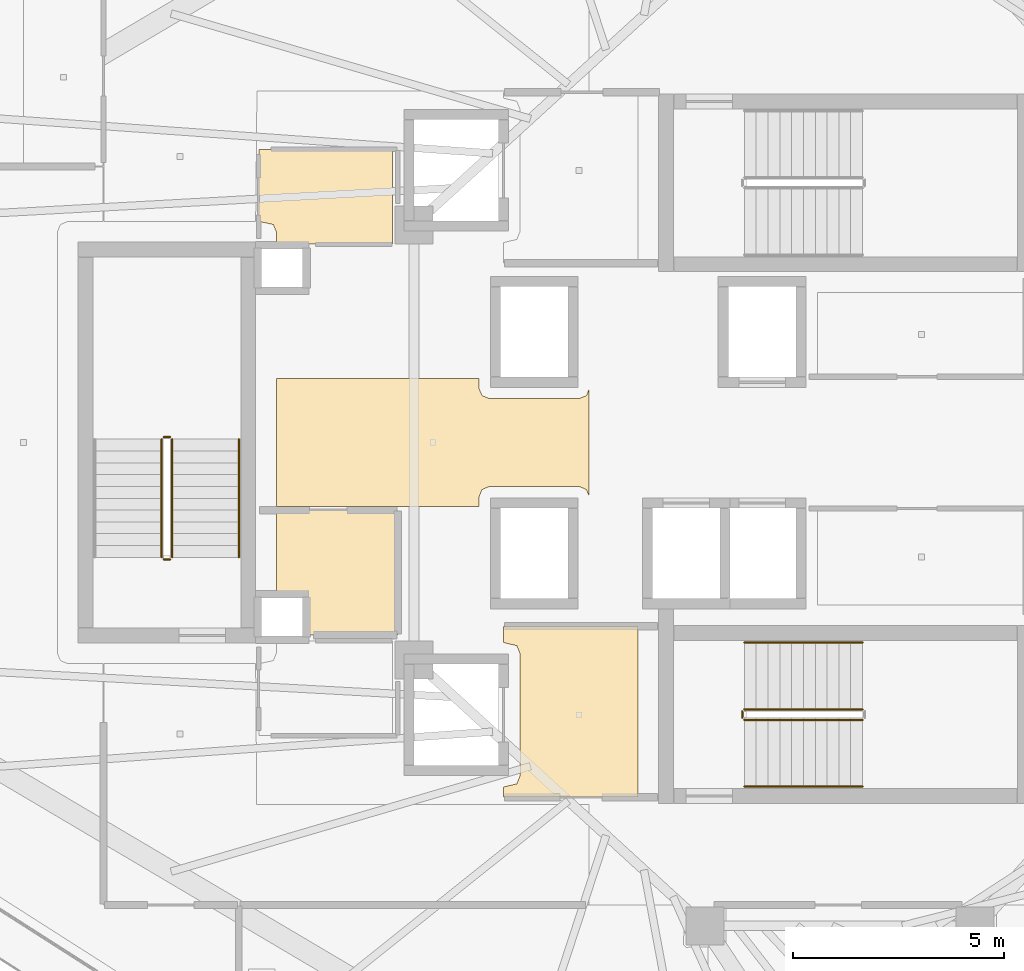
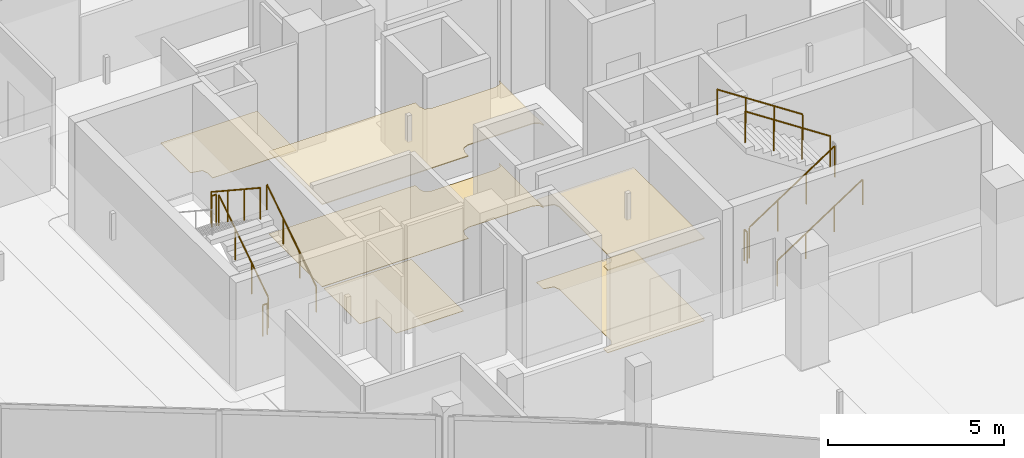
# One storey, part 30 of 34: 10 railings, 6 coverings.
"""IFC4 building model written with IfcOpenShell, lengths in metres."""

import ifcopenshell
import ifcopenshell.guid

model = None  # the IFC model being written
_history = None  # IfcOwnerHistory: only IFC2X3 demands one
_inside = {}  # id of a spatial element -> (the spatial element, [elements in it])
_under = {}  # id of a project, library or spatial element -> (it, [spatial elements below it])
_declared = {}  # id of a project -> (the project, [libraries it declares])
_typed = {}  # id of a type object -> (the type object, [elements of that type])
_made_of = {}  # id of a material, layer set ... -> (it, [elements and type objects made of it])


def new_model(schema):
    """Start an empty IFC model of exactly this schema.

    Asked for "IFC4X3", IfcOpenShell would pick the latest addendum, in which some entities
    have other attributes; the version numbers below select the first issue.
    IFC2X3 requires an IfcOwnerHistory on every rooted entity: one is made here for all.
    """
    global model, _history
    if schema == "IFC4X3":
        model = ifcopenshell.file(schema_version=(4, 3, 0, 0))
    else:
        model = ifcopenshell.file(schema=schema)
    _inside.clear()
    _under.clear()
    _declared.clear()
    _typed.clear()
    _made_of.clear()
    _history = None
    if model.schema == "IFC2X3":
        org = make("IfcOrganization", Name="unknown")
        user = make(
            "IfcPersonAndOrganization",
            ThePerson=make("IfcPerson", FamilyName="unknown"),
            TheOrganization=org,
        )
        app = make(
            "IfcApplication",
            ApplicationDeveloper=org,
            Version="unknown",
            ApplicationFullName="unknown",
            ApplicationIdentifier="unknown",
        )
        _history = make(
            "IfcOwnerHistory",
            OwningUser=user,
            OwningApplication=app,
            ChangeAction="ADDED",
            CreationDate=0,
        )
    return model


def make(cls, **values):
    """One entity of the class cls with the attributes given. An attribute that is None is left unset."""
    return model.create_entity(
        cls, **{name: value for name, value in values.items() if value is not None}
    )


def rooted(cls, **values):
    """An entity with a GlobalId (a new one), such as an element, a storey or a relation."""
    return make(cls, GlobalId=ifcopenshell.guid.new(), OwnerHistory=_history, **values)


def si_unit(unit_type, name, prefix=None):
    """IfcSIUnit, for example si_unit("LENGTHUNIT", "METRE", prefix="MILLI")."""
    return make("IfcSIUnit", UnitType=unit_type, Prefix=prefix, Name=name)


def assignment(units):
    """IfcUnitAssignment: the units of a project."""
    return None if units is None else make("IfcUnitAssignment", Units=units)


def point(xyz):
    """IfcCartesianPoint."""
    return None if xyz is None else make("IfcCartesianPoint", Coordinates=xyz)


def direction(xyz):
    """IfcDirection."""
    return None if xyz is None else make("IfcDirection", DirectionRatios=xyz)


def frame(location, z_axis=None, x_axis=None):
    """IfcAxis2Placement3D, a coordinate frame: its origin and axes. An axis left out is left unset."""
    return make(
        "IfcAxis2Placement3D",
        Location=point(location),
        Axis=direction(z_axis),
        RefDirection=direction(x_axis),
    )


def frame_2d(location, x_axis=None):
    """IfcAxis2Placement2D, a coordinate frame in the plane: its origin and x axis."""
    return make(
        "IfcAxis2Placement2D", Location=point(location), RefDirection=direction(x_axis)
    )


def origin():
    """The frame at (0, 0, 0) with its axes left unset."""
    return frame((0.0, 0.0, 0.0))


def origin_2d():
    """The frame at (0, 0) in the plane with its x axis left unset."""
    return frame_2d((0.0, 0.0))


def place(relative_to, where):
    """IfcLocalPlacement: puts the frame where relative to a parent placement (None: the world)."""
    return make(
        "IfcLocalPlacement", PlacementRelTo=relative_to, RelativePlacement=where
    )


def context(
    kind, dimensions, precision=None, world=None, true_north=None, identifier=None
):
    """IfcGeometricRepresentationContext, for example the 3D "Model" context."""
    return make(
        "IfcGeometricRepresentationContext",
        ContextIdentifier=identifier,
        ContextType=kind,
        CoordinateSpaceDimension=dimensions,
        Precision=precision,
        WorldCoordinateSystem=world,
        TrueNorth=true_north,
    )


def subcontext(parent, identifier, kind, view, scale=None):
    """IfcGeometricRepresentationSubContext, for example "Body" below "Model"."""
    return make(
        "IfcGeometricRepresentationSubContext",
        ContextIdentifier=identifier,
        ContextType=kind,
        ParentContext=parent,
        TargetScale=scale,
        TargetView=view,
    )


def project(units=None, contexts=None):
    """IfcProject with its units and contexts."""
    return rooted(
        "IfcProject",
        Name="project",
        RepresentationContexts=contexts,
        UnitsInContext=assignment(units),
    )


def spatial(cls, under=None, at=None, **own):
    """A site, building, storey or space (cls), placed at a placement, below another one or the project."""
    s = rooted(cls, ObjectPlacement=at, **own)
    if under is not None:
        _under.setdefault(under.id(), (under, []))[1].append(s)
    return s


def polyline(points):
    """IfcPolyline through the points."""
    return make("IfcPolyline", Points=[point(p) for p in points])


def profile(cls, at=None, kind="AREA", **sizes):
    """A parametric profile (cls). Its sizes go by their IFC names, for example OverallWidth=200.0."""
    return make(cls, ProfileType=kind, Position=at, **sizes)


def circle(**sizes):
    """IfcCircleProfileDef."""
    return profile("IfcCircleProfileDef", **sizes)


def outline(outer, holes=None, kind="AREA"):
    """IfcArbitraryClosedProfileDef: a profile drawn as a closed curve; with holes, ...WithVoids."""
    if holes is None:
        return make("IfcArbitraryClosedProfileDef", ProfileType=kind, OuterCurve=outer)
    return make(
        "IfcArbitraryProfileDefWithVoids",
        ProfileType=kind,
        OuterCurve=outer,
        InnerCurves=holes,
    )


def extrude(swept, where, along, depth):
    """IfcExtrudedAreaSolid: the profile swept, set in the frame where, extruded along a direction by depth."""
    return make(
        "IfcExtrudedAreaSolid",
        SweptArea=swept,
        Position=where,
        ExtrudedDirection=direction(along),
        Depth=depth,
    )


def shape(context_of_items, identifier, shape_type, items):
    """IfcShapeRepresentation: the items that make up one representation, for example the "Body"."""
    return make(
        "IfcShapeRepresentation",
        ContextOfItems=context_of_items,
        RepresentationIdentifier=identifier,
        RepresentationType=shape_type,
        Items=items,
    )


def material(Name=None, Category=None):
    """IfcMaterial."""
    return make("IfcMaterial", Name=Name, Category=Category)


def layer(
    of_material, thickness, ventilated=None, Name=None, Category=None, Priority=None
):
    """IfcMaterialLayer: one layer of a wall or slab, of a material (None: an air gap)."""
    return make(
        "IfcMaterialLayer",
        Material=of_material,
        LayerThickness=thickness,
        IsVentilated=ventilated,
        Name=Name,
        Category=Category,
        Priority=Priority,
    )


def layer_set(layers, Name=None):
    """IfcMaterialLayerSet."""
    return make("IfcMaterialLayerSet", MaterialLayers=layers, LayerSetName=Name)


def made_of(thing, what):
    """Note that an element or type object is made of a material, layer set ...; save() writes the relation."""
    if what is not None:
        _made_of.setdefault(what.id(), (what, []))[1].append(thing)
    return thing


def type_object(cls, material=None, **own):
    """A type object (cls), such as IfcWallType, which elements share."""
    return made_of(rooted(cls, **own), material)


def element(
    cls,
    number,
    at=None,
    inside=None,
    cuts=None,
    type_object=None,
    material=None,
    context=None,
    identifier="Body",
    shape_type=None,
    held_by="IfcProductDefinitionShape",
    body=None,
    shapes=None,
    **own,
):
    """One element of the class cls, such as IfcWall. Its Tag is "e" and its number.

    at: its placement. inside: the storey or other place that contains it. cuts: it is an
    opening in that element (IfcRelVoidsElement). A single representation is given by context,
    identifier, shape_type and body (its items); several are given by shapes. held_by: the class
    of the entity that holds the representations. save() writes the other relations.
    """
    e = rooted(cls, Tag="e%d" % number, ObjectPlacement=at, **own)
    if body is not None:
        shapes = [shape(context, identifier, shape_type, body)]
    if shapes is not None:
        e.Representation = make(held_by, Representations=shapes)
    if inside is not None:
        _inside.setdefault(inside.id(), (inside, []))[1].append(e)
    if cuts is not None:
        rooted(
            "IfcRelVoidsElement", RelatingBuildingElement=cuts, RelatedOpeningElement=e
        )
    if type_object is not None:
        _typed.setdefault(type_object.id(), (type_object, []))[1].append(e)
    return made_of(e, material)


def aggregate(whole, parts):
    """IfcRelAggregates: a whole, such as a stair, and the parts it consists of."""
    return rooted("IfcRelAggregates", RelatingObject=whole, RelatedObjects=parts)


def save(model, path):
    """Write the relations noted so far, then the file.

    IfcRelAggregates (storeys below a building ...), IfcRelContainedInSpatialStructure (elements
    in a storey), IfcRelDefinesByType, IfcRelAssociatesMaterial and IfcRelDeclares: one each for
    every whole, place, type object, material and project.
    """
    for whole, parts in _under.values():
        aggregate(whole, parts)
    for where, things in _inside.values():
        rooted(
            "IfcRelContainedInSpatialStructure",
            RelatedElements=things,
            RelatingStructure=where,
        )
    for kind, things in _typed.values():
        rooted("IfcRelDefinesByType", RelatedObjects=things, RelatingType=kind)
    for what, things in _made_of.values():
        rooted("IfcRelAssociatesMaterial", RelatedObjects=things, RelatingMaterial=what)
    for by, libraries in _declared.values():
        rooted("IfcRelDeclares", RelatingContext=by, RelatedDefinitions=libraries)
    model.write(path)


model = new_model("IFC4")

# Units and contexts
model_context = context("Model", 3, precision=1e-05, world=origin(), true_north=direction((0.0, 1.0)))
body_context = subcontext(model_context, "Body", "Model", "MODEL_VIEW")
ifc_project = project(units=[si_unit("LENGTHUNIT", "METRE"), si_unit("AREAUNIT", "SQUARE_METRE"), si_unit("VOLUMEUNIT", "CUBIC_METRE"), si_unit("PLANEANGLEUNIT", "RADIAN"), si_unit("MASSUNIT", "GRAM", prefix="KILO")], contexts=[model_context])

# Site, building, storey
site_placement = place(None, origin())
site = spatial("IfcSite", under=ifc_project, at=site_placement, CompositionType="ELEMENT")
building_placement = place(site_placement, origin())
building = spatial("IfcBuilding", under=site, at=building_placement, Name="Qorvath Tower", CompositionType="ELEMENT")
storey_placement = place(building_placement, frame((0.0, 0.0, 245.550048828125)))
storey = spatial("IfcBuildingStorey", under=building, at=storey_placement, Name="L57", CompositionType="ELEMENT", Elevation=245.550048828125)

# Coverings
ifc_material_1 = material(Name="Acoustic mineral fibre ceiling tile", Category="gypsum")
ifc_layer_1 = layer(ifc_material_1, 0.030029296875)
ifc_layer_set_1 = layer_set([ifc_layer_1], Name="COV-CEIL")
covering_type_1 = type_object("IfcCoveringType", Name="COV-CEIL", PredefinedType="CEILING", material=ifc_layer_set_1)
covering_1_placement = place(storey_placement, frame((0.0, 0.0, 2.849853515625)))
element("IfcCovering", 1, at=covering_1_placement, inside=storey, type_object=covering_type_1, Name="L57 Suspended Acoustic Ceiling 002", PredefinedType="CEILING", context=body_context, shape_type="SweptSolid", body=[
    extrude(outline(polyline([(-25.18994140625, -8.39501953125), (-25.18994140625, -4.35498046875), (-28.375, -4.35498046875), (-28.375, -4.739990234375), (-28.063232421875, -4.813232421875), (-27.989990234375, -4.989990234375), (-27.989990234375, -7.909912109375), (-28.063232421875, -8.086669921875), (-28.375, -8.159912109375), (-28.375, -8.39501953125), (-25.18994140625, -8.39501953125)])), origin(), (0.0, 0.0, 1.0), 0.030029296875),
])
covering_2_placement = place(storey_placement, frame((0.0, 0.0, 2.849853515625)))
element("IfcCovering", 2, at=covering_2_placement, inside=storey, type_object=covering_type_1, Name="L57 Suspended Acoustic Ceiling 010", PredefinedType="CEILING", context=body_context, shape_type="SweptSolid", body=[
    extrude(outline(polyline([(-26.34716796875, -1.27294921875), (-26.34716796875, 1.27294921875), (-26.413330078125, 1.11328125), (-26.590087890625, 1.0400390625), (-28.7099609375, 1.0400390625), (-28.88671875, 1.11328125), (-28.9599609375, 1.2900390625), (-28.9599609375, 1.514892578125), (-33.760009765625, 1.514892578125), (-33.760009765625, -1.514892578125), (-28.9599609375, -1.514892578125), (-28.9599609375, -1.2900390625), (-28.88671875, -1.11328125), (-28.7099609375, -1.0400390625), (-26.590087890625, -1.0400390625), (-26.413330078125, -1.11328125), (-26.34716796875, -1.27294921875)])), origin(), (0.0, 0.0, 1.0), 0.030029296875),
])
ifc_material_2 = material(Name="Low-VOC modular carpet tile", Category="textile")
ifc_layer_2 = layer(ifc_material_2, 0.014892578125)
ifc_layer_set_2 = layer_set([ifc_layer_2], Name="COV-FLOOR-CPT")
covering_type_2 = type_object("IfcCoveringType", Name="COV-FLOOR-CPT", PredefinedType="FLOORING", material=ifc_layer_set_2)
covering_3_placement = place(storey_placement, origin())
element("IfcCovering", 3, at=covering_3_placement, inside=storey, type_object=covering_type_2, Name="L57 Floor Finish 007", PredefinedType="FLOORING", context=body_context, shape_type="SweptSolid", body=[
    extrude(outline(polyline([(-30.885009765625, -4.554931640625), (-30.885009765625, -1.60498046875), (-33.760009765625, -1.60498046875), (-33.760009765625, -3.636962890625), (-33.08837890625, -3.638427734375), (-33.0869140625, -4.554931640625), (-30.885009765625, -4.554931640625)])), origin(), (0.0, 0.0, 1.0), 0.014892578125),
])
ifc_material_3 = material(Name="Polished epoxy terrazzo flooring", Category="concrete")
ifc_layer_3 = layer(ifc_material_3, 0.02001953125)
ifc_layer_set_3 = layer_set([ifc_layer_3], Name="COV-FLOOR-TRZ")
covering_type_3 = type_object("IfcCoveringType", Name="COV-FLOOR-TRZ", PredefinedType="FLOORING", material=ifc_layer_set_3)
covering_4_placement = place(storey_placement, origin())
element("IfcCovering", 4, at=covering_4_placement, inside=storey, type_object=covering_type_3, Name="L57 Floor Finish 002", PredefinedType="FLOORING", context=body_context, shape_type="SweptSolid", body=[
    extrude(outline(polyline([(-25.18994140625, -8.39501953125), (-25.18994140625, -4.35498046875), (-28.375, -4.35498046875), (-28.375, -4.739990234375), (-28.063232421875, -4.813232421875), (-27.989990234375, -4.989990234375), (-27.989990234375, -7.909912109375), (-28.063232421875, -8.086669921875), (-28.375, -8.159912109375), (-28.375, -8.39501953125), (-25.18994140625, -8.39501953125)])), origin(), (0.0, 0.0, 1.0), 0.014892578125),
])
covering_5_placement = place(storey_placement, origin())
element("IfcCovering", 5, at=covering_5_placement, inside=storey, type_object=covering_type_3, Name="L57 Floor Finish 005", PredefinedType="FLOORING", context=body_context, shape_type="SweptSolid", body=[
    extrude(outline(polyline([(-31.010009765625, 6.945068359375), (-34.175048828125, 6.945068359375), (-34.175048828125, 5.239990234375), (-33.833251953125, 5.166748046875), (-33.760009765625, 4.989990234375), (-33.760009765625, 4.705078125), (-31.010009765625, 4.705078125), (-31.010009765625, 6.945068359375)])), origin(), (0.0, 0.0, 1.0), 0.014892578125),
])
covering_6_placement = place(storey_placement, origin())
element("IfcCovering", 6, at=covering_6_placement, inside=storey, type_object=covering_type_3, Name="L57 Floor Finish 010", PredefinedType="FLOORING", context=body_context, shape_type="SweptSolid", body=[
    extrude(outline(polyline([(-26.34716796875, -1.27294921875), (-26.34716796875, 1.27294921875), (-26.413330078125, 1.11328125), (-26.590087890625, 1.0400390625), (-28.7099609375, 1.0400390625), (-28.88671875, 1.11328125), (-28.9599609375, 1.2900390625), (-28.9599609375, 1.514892578125), (-33.760009765625, 1.514892578125), (-33.760009765625, -1.514892578125), (-28.9599609375, -1.514892578125), (-28.9599609375, -1.2900390625), (-28.88671875, -1.11328125), (-28.7099609375, -1.0400390625), (-26.590087890625, -1.0400390625), (-26.413330078125, -1.11328125), (-26.34716796875, -1.27294921875)])), origin(), (0.0, 0.0, 1.0), 0.014892578125),
])

# Railings
ifc_material_4 = material(Name="Painted galvanised steel", Category="steel")
railing_type_1 = type_object("IfcRailingType", Name="RL-STR-GRD", PredefinedType="GUARDRAIL", material=ifc_material_4)
railing_1_placement = place(storey_placement, frame((-22.669921875, -6.570068359375, 0.18408203125)))
element("IfcRailing", 7, at=railing_1_placement, inside=storey, type_object=railing_type_1, Name="L57 TS2 stair guard 1", PredefinedType="GUARDRAIL", context=body_context, shape_type="SweptSolid", body=[
    extrude(circle(Radius=0.02392578125, at=origin_2d()), frame((0.0, 0.0, 1.076171875), z_axis=(0.835575518608, 0.0, 0.549375602573), x_axis=(0.0, 1.0, 0.0)), (0.0, 0.0, 1.0), 3.350830078125),
    extrude(circle(Radius=0.02099609375, at=origin_2d()), origin(), (0.0, 0.0, 1.0), 1.052001953125),
    extrude(circle(Radius=0.02099609375, at=origin_2d()), frame((0.933349609375, 0.0, 0.613525390625)), (0.0, 0.0, 1.0), 1.052001953125),
    extrude(circle(Radius=0.02099609375, at=origin_2d()), frame((1.866455078125, 0.0, 1.227294921875)), (0.0, 0.0, 1.0), 1.052001953125),
    extrude(circle(Radius=0.02099609375, at=origin_2d()), frame((2.7998046875, 0.0, 1.8408203125)), (0.0, 0.0, 1.0), 1.052001953125),
])
railing_2_placement = place(storey_placement, frame((-19.8701171875, -6.320068359375, 2.208984375)))
element("IfcRailing", 8, at=railing_2_placement, inside=storey, type_object=railing_type_1, Name="L57 TS2 stair guard 3", PredefinedType="GUARDRAIL", context=body_context, shape_type="SweptSolid", body=[
    extrude(circle(Radius=0.02392578125, at=origin_2d()), frame((0.0, 0.0, 1.076171875), z_axis=(-0.835542071712, 0.0, 0.549426470421), x_axis=(0.0, -1.0, 0.0)), (0.0, 0.0, 1.0), 3.350830078125),
    extrude(circle(Radius=0.02099609375, at=origin_2d()), origin(), (0.0, 0.0, 1.0), 1.052001953125),
    extrude(circle(Radius=0.02099609375, at=origin_2d()), frame((-0.933349609375, 0.0, 0.61376953125)), (0.0, 0.0, 1.0), 1.052001953125),
    extrude(circle(Radius=0.02099609375, at=origin_2d()), frame((-1.866455078125, 0.0, 1.227294921875)), (0.0, 0.0, 1.0), 1.052001953125),
    extrude(circle(Radius=0.02099609375, at=origin_2d()), frame((-2.7998046875, 0.0, 1.841064453125)), (0.0, 0.0, 1.0), 1.052001953125),
])
railing_3_placement = place(storey_placement, frame((-22.719970703125, -6.52001953125, 0.0)))
element("IfcRailing", 9, at=railing_3_placement, inside=storey, type_object=railing_type_1, Name="L57 TS2 stair guard 4", PredefinedType="GUARDRAIL", context=body_context, shape_type="SweptSolid", body=[
    extrude(circle(Radius=0.02392578125, at=origin_2d()), frame((0.0, 0.0, 1.076171875), z_axis=(0.0, 1.0, 0.0), x_axis=(-1.0, 0.0, 0.0)), (0.0, 0.0, 1.0), 0.14990234375),
    extrude(circle(Radius=0.02099609375, at=origin_2d()), origin(), (0.0, 0.0, 1.0), 1.052001953125),
    extrude(circle(Radius=0.02099609375, at=origin_2d()), frame((0.0, 0.14990234375, 0.0)), (0.0, 0.0, 1.0), 1.052001953125),
])
railing_4_placement = place(storey_placement, frame((-36.22998046875, -2.719970703125, 0.18408203125)))
element("IfcRailing", 10, at=railing_4_placement, inside=storey, type_object=railing_type_1, Name="L57 TS3 stair guard 1", PredefinedType="GUARDRAIL", context=body_context, shape_type="SweptSolid", body=[
    extrude(circle(Radius=0.02392578125, at=origin_2d()), frame((0.0, 0.0, 1.076171875), z_axis=(0.0, 0.835597507184, 0.549342157483), x_axis=(-1.0, 0.0, 0.0)), (0.0, 0.0, 1.0), 3.35107421875),
    extrude(circle(Radius=0.02099609375, at=origin_2d()), origin(), (0.0, 0.0, 1.0), 1.052001953125),
    extrude(circle(Radius=0.02099609375, at=origin_2d()), frame((0.0, 0.933349609375, 0.613525390625)), (0.0, 0.0, 1.0), 1.052001953125),
    extrude(circle(Radius=0.02099609375, at=origin_2d()), frame((0.0, 1.86669921875, 1.227294921875)), (0.0, 0.0, 1.0), 1.052001953125),
    extrude(circle(Radius=0.02099609375, at=origin_2d()), frame((0.0, 2.800048828125, 1.8408203125)), (0.0, 0.0, 1.0), 1.052001953125),
])
railing_5_placement = place(storey_placement, frame((-36.280029296875, 0.1298828125, 2.02490234375)))
element("IfcRailing", 11, at=railing_5_placement, inside=storey, type_object=railing_type_1, Name="L57 TS3 stair guard 2", PredefinedType="GUARDRAIL", context=body_context, shape_type="SweptSolid", body=[
    extrude(circle(Radius=0.02392578125, at=origin_2d()), frame((0.0, 0.0, 1.076171875), z_axis=(-1.0, 0.0, 0.0), x_axis=(0.0, -1.0, 0.0)), (0.0, 0.0, 1.0), 0.14990234375),
    extrude(circle(Radius=0.02099609375, at=origin_2d()), origin(), (0.0, 0.0, 1.0), 1.052001953125),
    extrude(circle(Radius=0.02099609375, at=origin_2d()), frame((-0.14990234375, 0.0, 0.0)), (0.0, 0.0, 1.0), 1.052001953125),
])
railing_6_placement = place(storey_placement, frame((-36.47998046875, 0.080078125, 2.208984375)))
element("IfcRailing", 12, at=railing_6_placement, inside=storey, type_object=railing_type_1, Name="L57 TS3 stair guard 3", PredefinedType="GUARDRAIL", context=body_context, shape_type="SweptSolid", body=[
    extrude(circle(Radius=0.02392578125, at=origin_2d()), frame((0.0, 0.0, 1.076171875), z_axis=(0.0, -0.83556406348, 0.549393024911), x_axis=(1.0, 0.0, 0.0)), (0.0, 0.0, 1.0), 3.35107421875),
    extrude(circle(Radius=0.02099609375, at=origin_2d()), origin(), (0.0, 0.0, 1.0), 1.052001953125),
    extrude(circle(Radius=0.02099609375, at=origin_2d()), frame((0.0, -0.933349609375, 0.61376953125)), (0.0, 0.0, 1.0), 1.052001953125),
    extrude(circle(Radius=0.02099609375, at=origin_2d()), frame((0.0, -1.86669921875, 1.227294921875)), (0.0, 0.0, 1.0), 1.052001953125),
    extrude(circle(Radius=0.02099609375, at=origin_2d()), frame((0.0, -2.800048828125, 1.841064453125)), (0.0, 0.0, 1.0), 1.052001953125),
])
railing_7_placement = place(storey_placement, frame((-36.280029296875, -2.77001953125, 0.0)))
element("IfcRailing", 13, at=railing_7_placement, inside=storey, type_object=railing_type_1, Name="L57 TS3 stair guard 4", PredefinedType="GUARDRAIL", context=body_context, shape_type="SweptSolid", body=[
    extrude(circle(Radius=0.02392578125, at=origin_2d()), frame((0.0, 0.0, 1.076171875), z_axis=(-1.0, 0.0, 0.0), x_axis=(0.0, -1.0, 0.0)), (0.0, 0.0, 1.0), 0.14990234375),
    extrude(circle(Radius=0.02099609375, at=origin_2d()), origin(), (0.0, 0.0, 1.0), 1.052001953125),
    extrude(circle(Radius=0.02099609375, at=origin_2d()), frame((-0.14990234375, 0.0, 0.0)), (0.0, 0.0, 1.0), 1.052001953125),
])
ifc_material_5 = material(Name="Brushed stainless steel AISI 304", Category="steel")
railing_type_2 = type_object("IfcRailingType", Name="RL-STR-HND", PredefinedType="HANDRAIL", material=ifc_material_5)
railing_8_placement = place(storey_placement, frame((-22.669921875, -8.14990234375, 0.18408203125)))
element("IfcRailing", 14, at=railing_8_placement, inside=storey, type_object=railing_type_2, Name="L57 TS2 stair handrail 1", PredefinedType="HANDRAIL", context=body_context, shape_type="SweptSolid", body=[
    extrude(circle(Radius=0.02392578125, at=origin_2d()), frame((0.0, 0.0, 0.8759765625), z_axis=(0.835575518608, 0.0, 0.549375602573), x_axis=(0.0, 1.0, 0.0)), (0.0, 0.0, 1.0), 3.350830078125),
    extrude(circle(Radius=0.02099609375, at=origin_2d()), origin(), (0.0, 0.0, 1.0), 0.851806640625),
    extrude(circle(Radius=0.02099609375, at=origin_2d()), frame((0.933349609375, 0.0, 0.613525390625)), (0.0, 0.0, 1.0), 0.851806640625),
    extrude(circle(Radius=0.02099609375, at=origin_2d()), frame((1.866455078125, 0.0, 1.227294921875)), (0.0, 0.0, 1.0), 0.851806640625),
    extrude(circle(Radius=0.02099609375, at=origin_2d()), frame((2.7998046875, 0.0, 1.8408203125)), (0.0, 0.0, 1.0), 0.851806640625),
])
railing_9_placement = place(storey_placement, frame((-19.8701171875, -4.739990234375, 2.208984375)))
element("IfcRailing", 15, at=railing_9_placement, inside=storey, type_object=railing_type_2, Name="L57 TS2 stair handrail 2", PredefinedType="HANDRAIL", context=body_context, shape_type="SweptSolid", body=[
    extrude(circle(Radius=0.02392578125, at=origin_2d()), frame((0.0, 0.0, 0.8759765625), z_axis=(-0.835542071712, 0.0, 0.549426470421), x_axis=(0.0, -1.0, 0.0)), (0.0, 0.0, 1.0), 3.350830078125),
    extrude(circle(Radius=0.02099609375, at=origin_2d()), origin(), (0.0, 0.0, 1.0), 0.851806640625),
    extrude(circle(Radius=0.02099609375, at=origin_2d()), frame((-0.933349609375, 0.0, 0.61376953125)), (0.0, 0.0, 1.0), 0.851806640625),
    extrude(circle(Radius=0.02099609375, at=origin_2d()), frame((-1.866455078125, 0.0, 1.227294921875)), (0.0, 0.0, 1.0), 0.851806640625),
    extrude(circle(Radius=0.02099609375, at=origin_2d()), frame((-2.7998046875, 0.0, 1.841064453125)), (0.0, 0.0, 1.0), 0.851806640625),
])
railing_10_placement = place(storey_placement, frame((-34.64990234375, -2.719970703125, 0.18408203125)))
element("IfcRailing", 16, at=railing_10_placement, inside=storey, type_object=railing_type_2, Name="L57 TS3 stair handrail 1", PredefinedType="HANDRAIL", context=body_context, shape_type="SweptSolid", body=[
    extrude(circle(Radius=0.02392578125, at=origin_2d()), frame((0.0, 0.0, 0.8759765625), z_axis=(0.0, 0.835597507184, 0.549342157483), x_axis=(-1.0, 0.0, 0.0)), (0.0, 0.0, 1.0), 3.35107421875),
    extrude(circle(Radius=0.02099609375, at=origin_2d()), origin(), (0.0, 0.0, 1.0), 0.851806640625),
    extrude(circle(Radius=0.02099609375, at=origin_2d()), frame((0.0, 0.933349609375, 0.613525390625)), (0.0, 0.0, 1.0), 0.851806640625),
    extrude(circle(Radius=0.02099609375, at=origin_2d()), frame((0.0, 1.86669921875, 1.227294921875)), (0.0, 0.0, 1.0), 0.851806640625),
    extrude(circle(Radius=0.02099609375, at=origin_2d()), frame((0.0, 2.800048828125, 1.8408203125)), (0.0, 0.0, 1.0), 0.851806640625),
])

save(model, "model.ifc")
